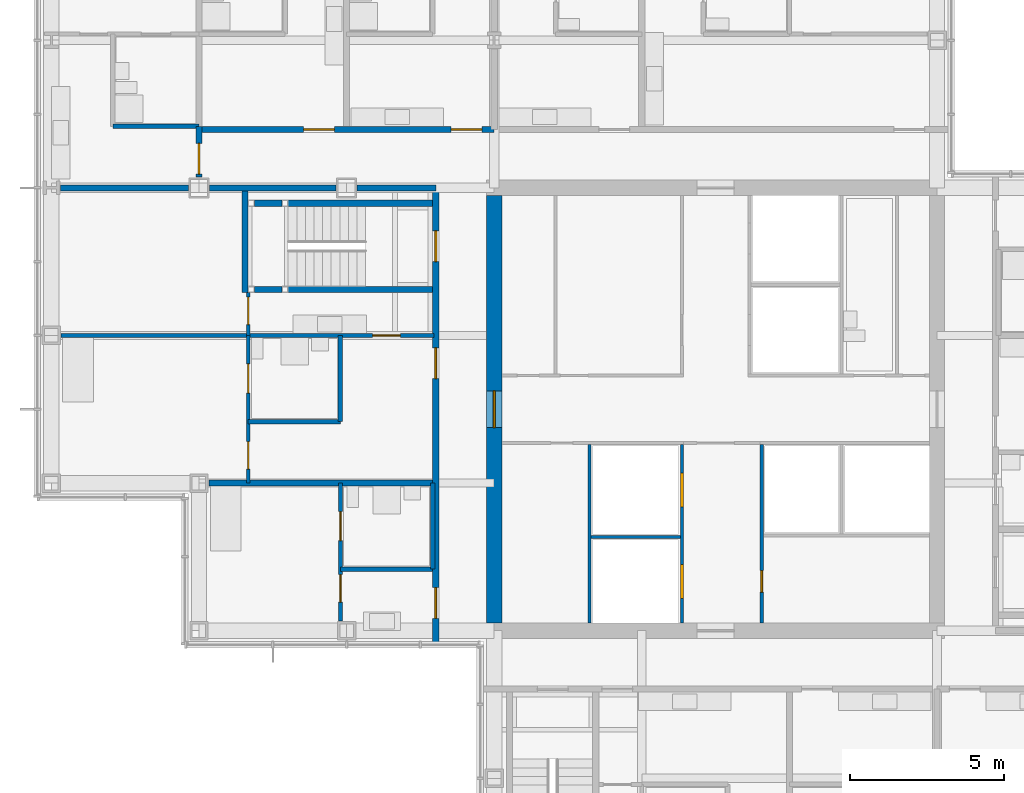
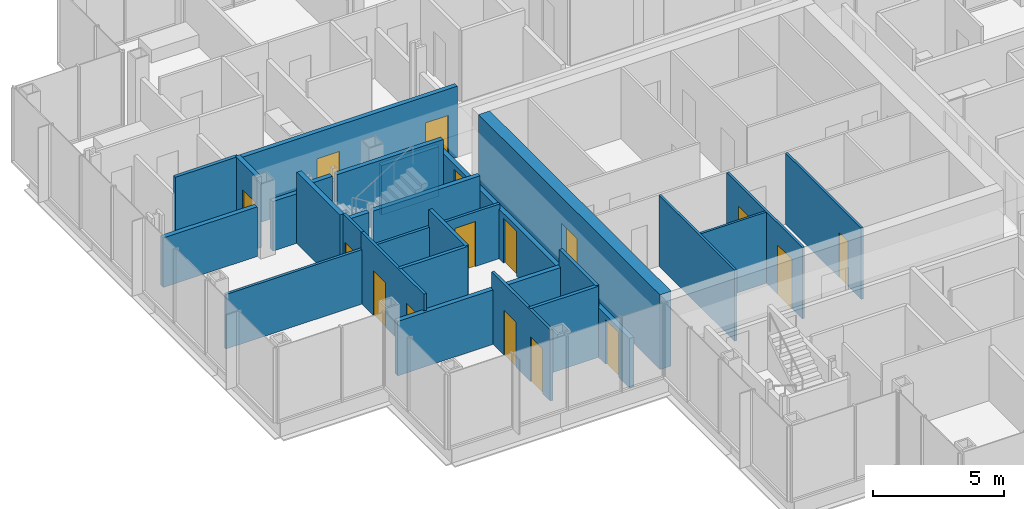
# One storey, part 14 of 20: 27 walls, 16 doors, 16 openings.
"""IFC4 building model written with IfcOpenShell, lengths in metres."""

from ifc_helpers import new_model, si_unit, direction, frame, frame_2d, origin, place, context, subcontext, project, spatial, rectangle, extrude, material, layer, layer_set, type_object, element, fill, save


model = new_model("IFC4")

# Units and contexts
model_context = context("Model", 3, precision=1e-05, world=origin(), true_north=direction((0.0, 1.0)))
body_context = subcontext(model_context, "Body", "Model", "MODEL_VIEW")
ifc_project = project(units=[si_unit("LENGTHUNIT", "METRE"), si_unit("AREAUNIT", "SQUARE_METRE"), si_unit("VOLUMEUNIT", "CUBIC_METRE"), si_unit("PLANEANGLEUNIT", "RADIAN"), si_unit("MASSUNIT", "GRAM", prefix="KILO")], contexts=[model_context])

# Site, building, storey
site_placement = place(None, origin())
site = spatial("IfcSite", under=ifc_project, at=site_placement, CompositionType="ELEMENT")
building_placement = place(site_placement, origin())
building = spatial("IfcBuilding", under=site, at=building_placement, Name="Kvirike Care Tower", CompositionType="ELEMENT")
storey_placement = place(building_placement, frame((0.0, 0.0, 112.0)))
storey = spatial("IfcBuildingStorey", under=building, at=storey_placement, Name="L30", CompositionType="ELEMENT", Elevation=112.0)

# Walls
ifc_material_1 = material(Name="Moisture-resistant board partition", Category="gypsum")
ifc_layer_1 = layer(ifc_material_1, 0.14990234375)
ifc_layer_set_1 = layer_set([ifc_layer_1], Name="BATHROOM WALL 150")
wall_type_1 = type_object("IfcWallType", Name="BATHROOM WALL 150", PredefinedType="PARTITIONING", material=ifc_layer_set_1)
wall_1_placement = place(storey_placement, frame((6.39990234375, 35.60009765625, 0.0), z_axis=(0.0, 0.0, 1.0), x_axis=(1.0, 0.0, 0.0)))
element("IfcWall", 1, at=wall_1_placement, inside=storey, type_object=wall_type_1, Name="Bathroom Wall 150 L30", PredefinedType="PARTITIONING", context=body_context, shape_type="SweptSolid", body=[
    extrude(rectangle(XDim=3.0, YDim=0.14990234375, at=frame_2d((1.5, 0.0))), origin(), (0.0, 0.0, 1.0), 3.330078125),
])
wall_2_placement = place(storey_placement, frame((9.39990234375, 38.39990234375, 0.0), z_axis=(0.0, 0.0, 1.0), x_axis=(0.0, -1.0, 0.0)))
element("IfcWall", 2, at=wall_2_placement, inside=storey, type_object=wall_type_1, Name="Bathroom Wall 150 L30", PredefinedType="PARTITIONING", context=body_context, shape_type="SweptSolid", body=[
    extrude(rectangle(XDim=2.7998046875, YDim=0.14990234375, at=frame_2d((1.39990234375, 0.0))), origin(), (0.0, 0.0, 1.0), 3.330078125),
])
wall_3_placement = place(storey_placement, frame((9.39990234375, 30.800048828125, 0.0), z_axis=(0.0, 0.0, 1.0), x_axis=(1.0, 0.0, 0.0)))
element("IfcWall", 3, at=wall_3_placement, inside=storey, type_object=wall_type_1, Name="Bathroom Wall 150 L30", PredefinedType="PARTITIONING", context=body_context, shape_type="SweptSolid", body=[
    extrude(rectangle(XDim=3.0, YDim=0.14990234375, at=frame_2d((1.5, 0.0))), origin(), (0.0, 0.0, 1.0), 3.330078125),
])
for number, where, z_axis, x_axis, name in (
    (4, (12.39990234375, 33.60009765625, 0.0), (0.0, 0.0, 1.0), (0.0, -1.0, 0.0), "Bathroom Wall 150 L30"),
    (5, (4.800048828125, 45.199951171875, 0.0), (0.0, 0.0, 1.0), (-1.0, 0.0, 0.0), "Bathroom Wall 150 L30"),
):
    element("IfcWall", number, at=place(storey_placement, frame(where, z_axis=z_axis, x_axis=x_axis)), inside=storey, type_object=wall_type_1, Name=name, PredefinedType="PARTITIONING", context=body_context, shape_type="SweptSolid", body=[
        extrude(rectangle(XDim=2.800048828125, YDim=0.14990234375, at=frame_2d((1.39990234375, 0.0))), origin(), (0.0, 0.0, 1.0), 3.330078125),
    ])

# Wall, opening, door
ifc_material_2 = material(Name="Concrete C50/60", Category="concrete")
ifc_layer_2 = layer(ifc_material_2, 0.5)
ifc_layer_set_2 = layer_set([ifc_layer_2], Name="CORE WALL 500 C50-60")
wall_type_2 = type_object("IfcWallType", Name="CORE WALL 500 C50-60", PredefinedType="SHEAR", material=ifc_layer_set_2)
wall_4_placement = place(storey_placement, frame((14.39990234375, 42.949951171875, -0.169921875), z_axis=(0.0, 0.0, 1.0), x_axis=(0.0, -1.0, 0.0)))
wall_4 = element("IfcWall", 6, at=wall_4_placement, inside=storey, type_object=wall_type_2, Name="Core wall W L30", PredefinedType="SHEAR", context=body_context, shape_type="SweptSolid", body=[
    extrude(rectangle(XDim=13.89990234375, YDim=0.5, at=frame_2d((6.949951171875, 0.0))), origin(), (0.0, 0.0, 1.0), 3.5),
])
opening_1_placement = place(wall_4_placement, frame((6.35009765625, 0.0, 0.169921875)))
opening_1 = element("IfcOpeningElement", 7, at=opening_1_placement, cuts=wall_4, Name="Opening 30-063", PredefinedType="OPENING", context=body_context, shape_type="SweptSolid", body=[
    extrude(rectangle(XDim=1.199951171875, YDim=2.10009765625, at=frame_2d((0.60009765625, 1.050048828125))), frame((0.0, 0.260498046875, 0.0), z_axis=(0.0, -1.0, 0.0), x_axis=(1.0, 0.0, 0.0)), (0.0, 0.0, 1.0), 0.52099609375),
])
ifc_material_3 = material(Name="Timber door set", Category="wood")
door_type_1 = type_object("IfcDoorType", Name="CORE DOOR 1200", OperationType="SINGLE_SWING_LEFT", PredefinedType="DOOR", material=ifc_material_3)
door_1_placement = place(opening_1_placement, origin())
door_1 = element("IfcDoor", 8, at=door_1_placement, inside=storey, type_object=door_type_1, Name="Core door W L30", OperationType="SINGLE_SWING_LEFT", OverallHeight=2.10009765625, OverallWidth=1.199951171875, PredefinedType="DOOR", context=body_context, shape_type="SweptSolid", body=[
    extrude(rectangle(XDim=1.199951171875, YDim=2.10009765625, at=frame_2d((0.60009765625, 1.050048828125))), frame((0.0, 0.02685546875, 0.0), z_axis=(0.0, -1.0, 0.0), x_axis=(1.0, 0.0, 0.0)), (0.0, 0.0, 1.0), 0.053955078125),
])
fill(opening_1, door_1)

# Wall, openings, doors
ifc_material_4 = material(Name="Plasterboard corridor wall", Category="gypsum")
ifc_layer_3 = layer(ifc_material_4, 0.199951171875)
ifc_layer_set_3 = layer_set([ifc_layer_3], Name="CORRIDOR WALL 200")
wall_type_3 = type_object("IfcWallType", Name="CORRIDOR WALL 200", PredefinedType="PARTITIONING", material=ifc_layer_set_3)
wall_5_placement = place(storey_placement, frame((12.5, 43.199951171875, 0.0), z_axis=(0.0, 0.0, 1.0), x_axis=(0.0, -1.0, 0.0)))
wall_5 = element("IfcWall", 9, at=wall_5_placement, inside=storey, type_object=wall_type_3, Name="Corridor Wall 200 L30", PredefinedType="PARTITIONING", context=body_context, shape_type="SweptSolid", body=[
    extrude(rectangle(XDim=14.83984375, YDim=0.199951171875, at=frame_2d((7.419921875, 0.0))), origin(), (0.0, 0.0, 1.0), 2.320068359375),
])
opening_2_placement = place(wall_5_placement, frame((1.39990234375, 0.0, 0.0)))
opening_2 = element("IfcOpeningElement", 10, at=opening_2_placement, cuts=wall_5, Name="Opening 30-007", PredefinedType="OPENING", context=body_context, shape_type="SweptSolid", body=[
    extrude(rectangle(XDim=1.0, YDim=2.10009765625, at=frame_2d((0.5, 1.050048828125))), frame((0.0, 0.110595703125, 0.0), z_axis=(0.0, -1.0, 0.0), x_axis=(1.0, 0.0, 0.0)), (0.0, 0.0, 1.0), 0.220947265625),
])
opening_3_placement = place(wall_5_placement, frame((5.199951171875, 0.0, 0.0)))
opening_3 = element("IfcOpeningElement", 11, at=opening_3_placement, cuts=wall_5, Name="Opening 30-008", PredefinedType="OPENING", context=body_context, shape_type="SweptSolid", body=[
    extrude(rectangle(XDim=1.0, YDim=2.10009765625, at=frame_2d((0.5, 1.050048828125))), frame((0.0, 0.110595703125, 0.0), z_axis=(0.0, -1.0, 0.0), x_axis=(1.0, 0.0, 0.0)), (0.0, 0.0, 1.0), 0.220947265625),
])
opening_4_placement = place(wall_5_placement, frame((13.0, 0.0, 0.0)))
opening_4 = element("IfcOpeningElement", 12, at=opening_4_placement, cuts=wall_5, Name="Opening 30-009", PredefinedType="OPENING", context=body_context, shape_type="SweptSolid", body=[
    extrude(rectangle(XDim=1.0, YDim=2.10009765625, at=frame_2d((0.5, 1.050048828125))), frame((0.0, 0.110595703125, 0.0), z_axis=(0.0, -1.0, 0.0), x_axis=(1.0, 0.0, 0.0)), (0.0, 0.0, 1.0), 0.220947265625),
])
ifc_material_5 = material(Name="Timber door set", Category="wood")
door_type_2 = type_object("IfcDoorType", Name="FLAT ENTRANCE DOOR 1000", OperationType="SINGLE_SWING_LEFT", PredefinedType="DOOR", material=ifc_material_5)
door_2_placement = place(opening_3_placement, frame((1.0, 0.0, 0.0), z_axis=(0.0, 0.0, 1.0), x_axis=(-1.0, 0.0, 0.0)))
door_2 = element("IfcDoor", 13, at=door_2_placement, inside=storey, type_object=door_type_2, Name="Assisted living suite entrance", OperationType="SINGLE_SWING_LEFT", OverallHeight=2.10009765625, OverallWidth=1.0, PredefinedType="DOOR", context=body_context, shape_type="SweptSolid", body=[
    extrude(rectangle(XDim=1.0, YDim=2.10009765625, at=frame_2d((0.5, 1.050048828125))), frame((0.0, 0.02685546875, 0.0), z_axis=(0.0, -1.0, 0.0), x_axis=(1.0, 0.0, 0.0)), (0.0, 0.0, 1.0), 0.053955078125),
])
fill(opening_3, door_2)
door_3_placement = place(opening_4_placement, frame((1.0, 0.0, 0.0), z_axis=(0.0, 0.0, 1.0), x_axis=(-1.0, 0.0, 0.0)))
door_3 = element("IfcDoor", 14, at=door_3_placement, inside=storey, type_object=door_type_2, Name="Assisted living suite entrance", OperationType="SINGLE_SWING_RIGHT", OverallHeight=2.10009765625, OverallWidth=1.0, PredefinedType="DOOR", context=body_context, shape_type="SweptSolid", body=[
    extrude(rectangle(XDim=1.0, YDim=2.10009765625, at=frame_2d((0.5, 1.050048828125))), frame((0.0, 0.02685546875, 0.0), z_axis=(0.0, -1.0, 0.0), x_axis=(1.0, 0.0, 0.0)), (0.0, 0.0, 1.0), 0.053955078125),
])
fill(opening_4, door_3)
ifc_material_6 = material(Name="Timber door set", Category="wood")
door_type_3 = type_object("IfcDoorType", Name="STAIR DOOR 1000", OperationType="SINGLE_SWING_LEFT", PredefinedType="DOOR", material=ifc_material_6)
door_4_placement = place(opening_2_placement, frame((1.0, 0.0, 0.0), z_axis=(0.0, 0.0, 1.0), x_axis=(-1.0, 0.0, 0.0)))
door_4 = element("IfcDoor", 15, at=door_4_placement, inside=storey, type_object=door_type_3, Name="Stair 1 door", OperationType="SINGLE_SWING_LEFT", OverallHeight=2.10009765625, OverallWidth=1.0, PredefinedType="DOOR", context=body_context, shape_type="SweptSolid", body=[
    extrude(rectangle(XDim=1.0, YDim=2.10009765625, at=frame_2d((0.5, 1.050048828125))), frame((0.0, 0.031982421875, 0.0), z_axis=(0.0, -1.0, 0.0), x_axis=(1.0, 0.0, 0.0)), (0.0, 0.0, 1.0), 0.06396484375),
])
fill(opening_2, door_4)

wall_6_placement = place(storey_placement, frame((14.39990234375, 45.10009765625, 0.0), z_axis=(0.0, 0.0, 1.0), x_axis=(-1.0, 0.0, 0.0)))
wall_6 = element("IfcWall", 16, at=wall_6_placement, inside=storey, type_object=wall_type_3, Name="Corridor Wall 200 L30", PredefinedType="PARTITIONING", context=body_context, shape_type="SweptSolid", body=[
    extrude(rectangle(XDim=9.599853515625, YDim=0.199951171875, at=frame_2d((4.7998046875, 0.0))), origin(), (0.0, 0.0, 1.0), 3.330078125),
])
opening_5_placement = place(wall_6_placement, frame((0.39990234375, 0.0, 0.0)))
opening_5 = element("IfcOpeningElement", 17, at=opening_5_placement, cuts=wall_6, Name="Opening 30-016", PredefinedType="OPENING", context=body_context, shape_type="SweptSolid", body=[
    extrude(rectangle(XDim=1.0, YDim=2.10009765625, at=frame_2d((0.5, 1.050048828125))), frame((0.0, 0.110595703125, 0.0), z_axis=(0.0, -1.0, 0.0), x_axis=(1.0, 0.0, 0.0)), (0.0, 0.0, 1.0), 0.220947265625),
])
opening_6_placement = place(wall_6_placement, frame((5.199951171875, 0.0, 0.0)))
opening_6 = element("IfcOpeningElement", 18, at=opening_6_placement, cuts=wall_6, Name="Opening 30-017", PredefinedType="OPENING", context=body_context, shape_type="SweptSolid", body=[
    extrude(rectangle(XDim=1.0, YDim=2.10009765625, at=frame_2d((0.5, 1.050048828125))), frame((0.0, 0.110595703125, 0.0), z_axis=(0.0, -1.0, 0.0), x_axis=(1.0, 0.0, 0.0)), (0.0, 0.0, 1.0), 0.220947265625),
])
door_5_placement = place(opening_5_placement, frame((1.0, 0.0, 0.0), z_axis=(0.0, 0.0, 1.0), x_axis=(-1.0, 0.0, 0.0)))
door_5 = element("IfcDoor", 19, at=door_5_placement, inside=storey, type_object=door_type_2, Name="Assisted living suite entrance", OperationType="SINGLE_SWING_LEFT", OverallHeight=2.10009765625, OverallWidth=1.0, PredefinedType="DOOR", context=body_context, shape_type="SweptSolid", body=[
    extrude(rectangle(XDim=1.0, YDim=2.10009765625, at=frame_2d((0.5, 1.050048828125))), frame((0.0, 0.02685546875, 0.0), z_axis=(0.0, -1.0, 0.0), x_axis=(1.0, 0.0, 0.0)), (0.0, 0.0, 1.0), 0.053955078125),
])
fill(opening_5, door_5)
door_6_placement = place(opening_6_placement, frame((1.0, 0.0, 0.0), z_axis=(0.0, 0.0, 1.0), x_axis=(-1.0, 0.0, 0.0)))
door_6 = element("IfcDoor", 20, at=door_6_placement, inside=storey, type_object=door_type_2, Name="Assisted living suite entrance", OperationType="SINGLE_SWING_LEFT", OverallHeight=2.10009765625, OverallWidth=1.0, PredefinedType="DOOR", context=body_context, shape_type="SweptSolid", body=[
    extrude(rectangle(XDim=1.0, YDim=2.10009765625, at=frame_2d((0.5, 1.050048828125))), frame((0.0, 0.02685546875, 0.0), z_axis=(0.0, -1.0, 0.0), x_axis=(1.0, 0.0, 0.0)), (0.0, 0.0, 1.0), 0.053955078125),
])
fill(opening_6, door_6)

# Wall, opening, door
wall_7_placement = place(storey_placement, frame((4.800048828125, 45.199951171875, 0.0), z_axis=(0.0, 0.0, 1.0), x_axis=(0.0, -1.0, 0.0)))
wall_7 = element("IfcWall", 21, at=wall_7_placement, inside=storey, type_object=wall_type_3, Name="Corridor Wall 200 L30", PredefinedType="PARTITIONING", context=body_context, shape_type="SweptSolid", body=[
    extrude(rectangle(XDim=1.655029296875, YDim=0.199951171875, at=frame_2d((0.82763671875, 0.0))), origin(), (0.0, 0.0, 1.0), 3.330078125),
])
opening_7_placement = place(wall_7_placement, frame((0.550048828125, 0.0, 0.0)))
opening_7 = element("IfcOpeningElement", 22, at=opening_7_placement, cuts=wall_7, Name="Opening 30-018", PredefinedType="OPENING", context=body_context, shape_type="SweptSolid", body=[
    extrude(rectangle(XDim=1.0, YDim=2.10009765625, at=frame_2d((0.5, 1.050048828125))), frame((0.0, 0.110595703125, 0.0), z_axis=(0.0, -1.0, 0.0), x_axis=(1.0, 0.0, 0.0)), (0.0, 0.0, 1.0), 0.220947265625),
])
door_7_placement = place(opening_7_placement, frame((1.0, 0.0, 0.0), z_axis=(0.0, 0.0, 1.0), x_axis=(-1.0, 0.0, 0.0)))
door_7 = element("IfcDoor", 23, at=door_7_placement, inside=storey, type_object=door_type_2, Name="Assisted living suite entrance", OperationType="SINGLE_SWING_RIGHT", OverallHeight=2.10009765625, OverallWidth=1.0, PredefinedType="DOOR", context=body_context, shape_type="SweptSolid", body=[
    extrude(rectangle(XDim=1.0, YDim=2.10009765625, at=frame_2d((0.5, 1.050048828125))), frame((0.0, 0.02685546875, 0.0), z_axis=(0.0, -1.0, 0.0), x_axis=(1.0, 0.0, 0.0)), (0.0, 0.0, 1.0), 0.053955078125),
])
fill(opening_7, door_7)

ifc_material_7 = material(Name="Plasterboard partition", Category="gypsum")
ifc_layer_4 = layer(ifc_material_7, 0.1201171875)
ifc_layer_set_4 = layer_set([ifc_layer_4], Name="PARTITION 120")
wall_type_4 = type_object("IfcWallType", Name="PARTITION 120", PredefinedType="PARTITIONING", material=ifc_layer_set_4)
wall_8_placement = place(storey_placement, frame((6.39990234375, 38.39990234375, 0.0), z_axis=(0.0, 0.0, 1.0), x_axis=(1.0, 0.0, 0.0)))
wall_8 = element("IfcWall", 24, at=wall_8_placement, inside=storey, type_object=wall_type_4, Name="Partition 120 L30", PredefinedType="PARTITIONING", context=body_context, shape_type="SweptSolid", body=[
    extrude(rectangle(XDim=6.050048828125, YDim=0.1201171875, at=frame_2d((3.02490234375, 0.0))), origin(), (0.0, 0.0, 1.0), 2.550048828125),
])
opening_8_placement = place(wall_8_placement, frame((4.050048828125, 0.0, 0.0)))
opening_8 = element("IfcOpeningElement", 25, at=opening_8_placement, cuts=wall_8, Name="Opening 30-001", PredefinedType="OPENING", context=body_context, shape_type="SweptSolid", body=[
    extrude(rectangle(XDim=0.89990234375, YDim=2.10009765625, at=frame_2d((0.449951171875, 1.050048828125))), frame((0.0, 0.070556640625, 0.0), z_axis=(0.0, -1.0, 0.0), x_axis=(1.0, 0.0, 0.0)), (0.0, 0.0, 1.0), 0.14111328125),
])
ifc_material_8 = material(Name="Timber door set", Category="wood")
door_type_4 = type_object("IfcDoorType", Name="INTERNAL DOOR 900", OperationType="SINGLE_SWING_LEFT", PredefinedType="DOOR", material=ifc_material_8)
door_8_placement = place(opening_8_placement, origin())
door_8 = element("IfcDoor", 26, at=door_8_placement, inside=storey, type_object=door_type_4, Name="Hall door", OperationType="SINGLE_SWING_LEFT", OverallHeight=2.10009765625, OverallWidth=0.89990234375, PredefinedType="DOOR", context=body_context, shape_type="SweptSolid", body=[
    extrude(rectangle(XDim=0.89990234375, YDim=2.10009765625, at=frame_2d((0.449951171875, 1.050048828125))), frame((0.0, 0.02197265625, 0.0), z_axis=(0.0, -1.0, 0.0), x_axis=(1.0, 0.0, 0.0)), (0.0, 0.0, 1.0), 0.0439453125),
])
fill(opening_8, door_8)

wall_9_placement = place(storey_placement, frame((6.39990234375, 39.800048828125, 0.0), z_axis=(0.0, 0.0, 1.0), x_axis=(0.0, -1.0, 0.0)))
wall_9 = element("IfcWall", 27, at=wall_9_placement, inside=storey, type_object=wall_type_4, Name="Partition 120 L30", PredefinedType="PARTITIONING", context=body_context, shape_type="SweptSolid", body=[
    extrude(rectangle(XDim=1.400146484375, YDim=0.1201171875, at=frame_2d((0.7001953125, 0.0))), origin(), (0.0, 0.0, 1.0), 3.330078125),
])
opening_9_placement = place(wall_9_placement, frame((0.14990234375, 0.0, 0.0)))
opening_9 = element("IfcOpeningElement", 28, at=opening_9_placement, cuts=wall_9, Name="Opening 30-002", PredefinedType="OPENING", context=body_context, shape_type="SweptSolid", body=[
    extrude(rectangle(XDim=0.89990234375, YDim=2.10009765625, at=frame_2d((0.449951171875, 1.050048828125))), frame((0.0, 0.070556640625, 0.0), z_axis=(0.0, -1.0, 0.0), x_axis=(1.0, 0.0, 0.0)), (0.0, 0.0, 1.0), 0.14111328125),
])
door_9_placement = place(opening_9_placement, origin())
door_9 = element("IfcDoor", 29, at=door_9_placement, inside=storey, type_object=door_type_4, Name="Suite sitting room door", OperationType="SINGLE_SWING_RIGHT", OverallHeight=2.10009765625, OverallWidth=0.89990234375, PredefinedType="DOOR", context=body_context, shape_type="SweptSolid", body=[
    extrude(rectangle(XDim=0.89990234375, YDim=2.10009765625, at=frame_2d((0.449951171875, 1.050048828125))), frame((0.0, 0.02197265625, 0.0), z_axis=(0.0, -1.0, 0.0), x_axis=(1.0, 0.0, 0.0)), (0.0, 0.0, 1.0), 0.0439453125),
])
fill(opening_9, door_9)

# Wall, openings, doors
wall_10_placement = place(storey_placement, frame((6.39990234375, 38.39990234375, 0.0), z_axis=(0.0, 0.0, 1.0), x_axis=(0.0, -1.0, 0.0)))
wall_10 = element("IfcWall", 30, at=wall_10_placement, inside=storey, type_object=wall_type_4, Name="Partition 120 L30", PredefinedType="PARTITIONING", context=body_context, shape_type="SweptSolid", body=[
    extrude(rectangle(XDim=4.7998046875, YDim=0.1201171875, at=frame_2d((2.39990234375, 0.0))), origin(), (0.0, 0.0, 1.0), 3.330078125),
])
opening_10_placement = place(wall_10_placement, frame((3.449951171875, 0.0, 0.0)))
opening_10 = element("IfcOpeningElement", 31, at=opening_10_placement, cuts=wall_10, Name="Opening 30-003", PredefinedType="OPENING", context=body_context, shape_type="SweptSolid", body=[
    extrude(rectangle(XDim=0.89990234375, YDim=2.10009765625, at=frame_2d((0.449951171875, 1.050048828125))), frame((0.0, 0.070556640625, 0.0), z_axis=(0.0, -1.0, 0.0), x_axis=(1.0, 0.0, 0.0)), (0.0, 0.0, 1.0), 0.14111328125),
])
opening_11_placement = place(wall_10_placement, frame((0.925048828125, 0.0, 0.0)))
opening_11 = element("IfcOpeningElement", 32, at=opening_11_placement, cuts=wall_10, Name="Opening 30-004", PredefinedType="OPENING", context=body_context, shape_type="SweptSolid", body=[
    extrude(rectangle(XDim=0.949951171875, YDim=2.10009765625, at=frame_2d((0.47509765625, 1.050048828125))), frame((0.0, 0.070556640625, 0.0), z_axis=(0.0, -1.0, 0.0), x_axis=(1.0, 0.0, 0.0)), (0.0, 0.0, 1.0), 0.14111328125),
])
ifc_material_9 = material(Name="Timber door set", Category="wood")
door_type_5 = type_object("IfcDoorType", Name="EN-SUITE SLIDING DOOR 950", OperationType="SLIDING_TO_LEFT", PredefinedType="DOOR", material=ifc_material_9)
door_10_placement = place(opening_11_placement, origin())
door_10 = element("IfcDoor", 33, at=door_10_placement, inside=storey, type_object=door_type_5, Name="En-suite door", OperationType="SLIDING_TO_RIGHT", OverallHeight=2.10009765625, OverallWidth=0.949951171875, PredefinedType="DOOR", context=body_context, shape_type="SweptSolid", body=[
    extrude(rectangle(XDim=0.949951171875, YDim=2.10009765625, at=frame_2d((0.47509765625, 1.050048828125))), frame((0.0, 0.02197265625, 0.0), z_axis=(0.0, -1.0, 0.0), x_axis=(1.0, 0.0, 0.0)), (0.0, 0.0, 1.0), 0.0439453125),
])
fill(opening_11, door_10)
door_11_placement = place(opening_10_placement, origin())
door_11 = element("IfcDoor", 34, at=door_11_placement, inside=storey, type_object=door_type_4, Name="Assisted living suite door", OperationType="SINGLE_SWING_LEFT", OverallHeight=2.10009765625, OverallWidth=0.89990234375, PredefinedType="DOOR", context=body_context, shape_type="SweptSolid", body=[
    extrude(rectangle(XDim=0.89990234375, YDim=2.10009765625, at=frame_2d((0.449951171875, 1.050048828125))), frame((0.0, 0.02197265625, 0.0), z_axis=(0.0, -1.0, 0.0), x_axis=(1.0, 0.0, 0.0)), (0.0, 0.0, 1.0), 0.0439453125),
])
fill(opening_10, door_11)

# Wall
wall_11_placement = place(storey_placement, frame((0.320068359375, 38.39990234375, 0.0), z_axis=(0.0, 0.0, 1.0), x_axis=(1.0, 0.0, 0.0)))
element("IfcWall", 35, at=wall_11_placement, inside=storey, type_object=wall_type_4, Name="Partition 120 L30", PredefinedType="PARTITIONING", context=body_context, shape_type="SweptSolid", body=[
    extrude(rectangle(XDim=6.079833984375, YDim=0.1201171875, at=frame_2d((3.0400390625, 0.0))), origin(), (0.0, 0.0, 1.0), 2.550048828125),
])

# Wall, openings, doors
wall_12_placement = place(storey_placement, frame((9.39990234375, 33.60009765625, 0.0), z_axis=(0.0, 0.0, 1.0), x_axis=(0.0, -1.0, 0.0)))
wall_12 = element("IfcWall", 36, at=wall_12_placement, inside=storey, type_object=wall_type_4, Name="Partition 120 L30", PredefinedType="PARTITIONING", context=body_context, shape_type="SweptSolid", body=[
    extrude(rectangle(XDim=4.47998046875, YDim=0.1201171875, at=frame_2d((2.239990234375, 0.0))), origin(), (0.0, 0.0, 1.0), 3.330078125),
])
opening_12_placement = place(wall_12_placement, frame((2.97509765625, 0.0, 0.0)))
opening_12 = element("IfcOpeningElement", 37, at=opening_12_placement, cuts=wall_12, Name="Opening 30-005", PredefinedType="OPENING", context=body_context, shape_type="SweptSolid", body=[
    extrude(rectangle(XDim=0.89990234375, YDim=2.10009765625, at=frame_2d((0.449951171875, 1.050048828125))), frame((0.0, 0.070556640625, 0.0), z_axis=(0.0, -1.0, 0.0), x_axis=(1.0, 0.0, 0.0)), (0.0, 0.0, 1.0), 0.14111328125),
])
opening_13_placement = place(wall_12_placement, frame((0.925048828125, 0.0, 0.0)))
opening_13 = element("IfcOpeningElement", 38, at=opening_13_placement, cuts=wall_12, Name="Opening 30-006", PredefinedType="OPENING", context=body_context, shape_type="SweptSolid", body=[
    extrude(rectangle(XDim=0.949951171875, YDim=2.10009765625, at=frame_2d((0.47509765625, 1.050048828125))), frame((0.0, 0.070556640625, 0.0), z_axis=(0.0, -1.0, 0.0), x_axis=(1.0, 0.0, 0.0)), (0.0, 0.0, 1.0), 0.14111328125),
])
door_12_placement = place(opening_13_placement, origin())
door_12 = element("IfcDoor", 39, at=door_12_placement, inside=storey, type_object=door_type_5, Name="En-suite door", OperationType="SLIDING_TO_RIGHT", OverallHeight=2.10009765625, OverallWidth=0.949951171875, PredefinedType="DOOR", context=body_context, shape_type="SweptSolid", body=[
    extrude(rectangle(XDim=0.949951171875, YDim=2.10009765625, at=frame_2d((0.47509765625, 1.050048828125))), frame((0.0, 0.02197265625, 0.0), z_axis=(0.0, -1.0, 0.0), x_axis=(1.0, 0.0, 0.0)), (0.0, 0.0, 1.0), 0.0439453125),
])
fill(opening_13, door_12)
door_13_placement = place(opening_12_placement, origin())
door_13 = element("IfcDoor", 40, at=door_13_placement, inside=storey, type_object=door_type_4, Name="Assisted living suite door", OperationType="SINGLE_SWING_RIGHT", OverallHeight=2.10009765625, OverallWidth=0.89990234375, PredefinedType="DOOR", context=body_context, shape_type="SweptSolid", body=[
    extrude(rectangle(XDim=0.89990234375, YDim=2.10009765625, at=frame_2d((0.449951171875, 1.050048828125))), frame((0.0, 0.02197265625, 0.0), z_axis=(0.0, -1.0, 0.0), x_axis=(1.0, 0.0, 0.0)), (0.0, 0.0, 1.0), 0.0439453125),
])
fill(opening_12, door_13)

# Walls
ifc_material_10 = material(Name="Plasterboard party wall", Category="gypsum")
ifc_layer_5 = layer(ifc_material_10, 0.199951171875)
ifc_layer_set_5 = layer_set([ifc_layer_5], Name="PARTY WALL 200")
wall_type_5 = type_object("IfcWallType", Name="PARTY WALL 200", PredefinedType="PARTITIONING", material=ifc_layer_set_5)
wall_13_placement = place(storey_placement, frame((5.1201171875, 33.60009765625, 0.0), z_axis=(0.0, 0.0, 1.0), x_axis=(1.0, 0.0, 0.0)))
element("IfcWall", 41, at=wall_13_placement, inside=storey, type_object=wall_type_5, Name="Party Wall 200 L30", PredefinedType="PARTITIONING", context=body_context, shape_type="SweptSolid", body=[
    extrude(rectangle(XDim=7.27978515625, YDim=0.199951171875, at=frame_2d((3.639892578125, 0.0))), origin(), (0.0, 0.0, 1.0), 2.550048828125),
])
wall_14_placement = place(storey_placement, frame((12.5, 43.199951171875, 0.0), z_axis=(0.0, 0.0, 1.0), x_axis=(-1.0, 0.0, 0.0)))
element("IfcWall", 42, at=wall_14_placement, inside=storey, type_object=wall_type_5, Name="Party Wall 200 L30", PredefinedType="PARTITIONING", context=body_context, shape_type="SweptSolid", body=[
    extrude(rectangle(XDim=2.554931640625, YDim=0.199951171875, at=frame_2d((1.27734375, 0.0))), origin(), (0.0, 0.0, 1.0), 2.320068359375),
])
wall_15_placement = place(storey_placement, frame((9.2548828125, 43.199951171875, 0.0), z_axis=(0.0, 0.0, 1.0), x_axis=(-1.0, 0.0, 0.0)))
element("IfcWall", 43, at=wall_15_placement, inside=storey, type_object=wall_type_5, Name="Party Wall 200 L30", PredefinedType="PARTITIONING", context=body_context, shape_type="SweptSolid", body=[
    extrude(rectangle(XDim=4.10986328125, YDim=0.199951171875, at=frame_2d((2.054931640625, 0.0))), origin(), (0.0, 0.0, 1.0), 2.320068359375),
])
wall_16_placement = place(storey_placement, frame((4.455078125, 43.199951171875, 0.0), z_axis=(0.0, 0.0, 1.0), x_axis=(-1.0, 0.0, 0.0)))
element("IfcWall", 44, at=wall_16_placement, inside=storey, type_object=wall_type_5, Name="Party Wall 200 L30", PredefinedType="PARTITIONING", context=body_context, shape_type="SweptSolid", body=[
    extrude(rectangle(XDim=4.16015625, YDim=0.199951171875, at=frame_2d((2.080078125, 0.0))), origin(), (0.0, 0.0, 1.0), 2.320068359375),
])

# Wall, openings, doors
ifc_material_11 = material(Name="Gypsum shaft wall system", Category="gypsum")
ifc_layer_6 = layer(ifc_material_11, 0.10009765625)
ifc_layer_set_6 = layer_set([ifc_layer_6], Name="SHAFT WALL 100")
wall_type_6 = type_object("IfcWallType", Name="SHAFT WALL 100", PredefinedType="SOLIDWALL", material=ifc_layer_set_6)
wall_17_placement = place(storey_placement, frame((20.5, 29.050048828125, 0.0), z_axis=(0.0, 0.0, 1.0), x_axis=(0.0, 1.0, 0.0)))
wall_17 = element("IfcWall", 45, at=wall_17_placement, inside=storey, type_object=wall_type_6, Name="Shaft Wall 100 L30", PredefinedType="SOLIDWALL", context=body_context, shape_type="SweptSolid", body=[
    extrude(rectangle(XDim=5.800048828125, YDim=0.10009765625, at=frame_2d((2.89990234375, 0.0))), origin(), (0.0, 0.0, 1.0), 3.330078125),
])
opening_14_placement = place(wall_17_placement, frame((0.800048828125, 0.0, 0.0)))
opening_14 = element("IfcOpeningElement", 46, at=opening_14_placement, cuts=wall_17, Name="Opening 30-050", PredefinedType="OPENING", context=body_context, shape_type="SweptSolid", body=[
    extrude(rectangle(XDim=1.10009765625, YDim=2.300048828125, at=frame_2d((0.550048828125, 1.14990234375))), frame((0.0, 0.060546875, 0.0), z_axis=(0.0, -1.0, 0.0), x_axis=(1.0, 0.0, 0.0)), (0.0, 0.0, 1.0), 0.12109375),
])
opening_15_placement = place(wall_17_placement, frame((3.77490234375, 0.0, 0.0)))
opening_15 = element("IfcOpeningElement", 47, at=opening_15_placement, cuts=wall_17, Name="Opening 30-051", PredefinedType="OPENING", context=body_context, shape_type="SweptSolid", body=[
    extrude(rectangle(XDim=1.10009765625, YDim=2.300048828125, at=frame_2d((0.550048828125, 1.14990234375))), frame((0.0, 0.060546875, 0.0), z_axis=(0.0, -1.0, 0.0), x_axis=(1.0, 0.0, 0.0)), (0.0, 0.0, 1.0), 0.12109375),
])
ifc_material_12 = material(Name="Aluminium door frame", Category="aluminium")
door_type_6 = type_object("IfcDoorType", Name="FIRE-FIGHTING LIFT LANDING DOOR 1100", OperationType="SLIDING_TO_LEFT", PredefinedType="DOOR", material=ifc_material_12)
door_14_placement = place(opening_14_placement, origin())
door_14 = element("IfcDoor", 48, at=door_14_placement, inside=storey, type_object=door_type_6, Name="Lift FF1 landing door", OperationType="SLIDING_TO_LEFT", OverallHeight=2.300048828125, OverallWidth=1.10009765625, PredefinedType="DOOR", context=body_context, shape_type="SweptSolid", body=[
    extrude(rectangle(XDim=1.10009765625, YDim=2.300048828125, at=frame_2d((0.550048828125, 1.14990234375))), frame((0.0, 0.0498046875, 0.0), z_axis=(0.0, -1.0, 0.0), x_axis=(1.0, 0.0, 0.0)), (0.0, 0.0, 1.0), 0.099609375),
])
fill(opening_14, door_14)
door_15_placement = place(opening_15_placement, origin())
door_15 = element("IfcDoor", 49, at=door_15_placement, inside=storey, type_object=door_type_6, Name="Lift FF2 landing door", OperationType="SLIDING_TO_LEFT", OverallHeight=2.300048828125, OverallWidth=1.10009765625, PredefinedType="DOOR", context=body_context, shape_type="SweptSolid", body=[
    extrude(rectangle(XDim=1.10009765625, YDim=2.300048828125, at=frame_2d((0.550048828125, 1.14990234375))), frame((0.0, 0.0498046875, 0.0), z_axis=(0.0, -1.0, 0.0), x_axis=(1.0, 0.0, 0.0)), (0.0, 0.0, 1.0), 0.099609375),
])
fill(opening_15, door_15)

# Wall, opening, door
wall_18_placement = place(storey_placement, frame((23.10009765625, 29.050048828125, 0.0), z_axis=(0.0, 0.0, 1.0), x_axis=(0.0, 1.0, 0.0)))
wall_18 = element("IfcWall", 50, at=wall_18_placement, inside=storey, type_object=wall_type_6, Name="Shaft Wall 100 L30", PredefinedType="SOLIDWALL", context=body_context, shape_type="SweptSolid", body=[
    extrude(rectangle(XDim=5.800048828125, YDim=0.10009765625, at=frame_2d((2.89990234375, 0.0))), origin(), (0.0, 0.0, 1.0), 3.330078125),
])
opening_16_placement = place(wall_18_placement, frame((1.0, 0.0, 0.0)))
opening_16 = element("IfcOpeningElement", 51, at=opening_16_placement, cuts=wall_18, Name="Opening 30-055", PredefinedType="OPENING", context=body_context, shape_type="SweptSolid", body=[
    extrude(rectangle(XDim=0.699951171875, YDim=2.10009765625, at=frame_2d((0.35009765625, 1.050048828125))), frame((0.0, 0.060546875, 0.0), z_axis=(0.0, -1.0, 0.0), x_axis=(1.0, 0.0, 0.0)), (0.0, 0.0, 1.0), 0.12109375),
])
ifc_material_13 = material(Name="Timber door set", Category="wood")
door_type_7 = type_object("IfcDoorType", Name="RISER DOOR 700", OperationType="SINGLE_SWING_LEFT", PredefinedType="DOOR", material=ifc_material_13)
door_16_placement = place(opening_16_placement, origin())
door_16 = element("IfcDoor", 52, at=door_16_placement, inside=storey, type_object=door_type_7, Name="Riser door", OperationType="SINGLE_SWING_RIGHT", OverallHeight=2.10009765625, OverallWidth=0.699951171875, PredefinedType="DOOR", context=body_context, shape_type="SweptSolid", body=[
    extrude(rectangle(XDim=0.699951171875, YDim=2.10009765625, at=frame_2d((0.35009765625, 1.050048828125))), frame((0.0, 0.02685546875, 0.0), z_axis=(0.0, -1.0, 0.0), x_axis=(1.0, 0.0, 0.0)), (0.0, 0.0, 1.0), 0.053955078125),
])
fill(opening_16, door_16)

# Walls
wall_19_placement = place(storey_placement, frame((17.5, 29.050048828125, 0.0), z_axis=(0.0, 0.0, 1.0), x_axis=(0.0, 1.0, 0.0)))
element("IfcWall", 53, at=wall_19_placement, inside=storey, type_object=wall_type_6, Name="Shaft Wall 100 L30", PredefinedType="SOLIDWALL", context=body_context, shape_type="SweptSolid", body=[
    extrude(rectangle(XDim=5.800048828125, YDim=0.10009765625, at=frame_2d((2.89990234375, 0.0))), origin(), (0.0, 0.0, 1.0), 3.330078125),
])
wall_20_placement = place(storey_placement, frame((17.550048828125, 31.85009765625, 0.0), z_axis=(0.0, 0.0, 1.0), x_axis=(1.0, 0.0, 0.0)))
element("IfcWall", 54, at=wall_20_placement, inside=storey, type_object=wall_type_6, Name="Shaft Wall 100 L30", PredefinedType="SOLIDWALL", context=body_context, shape_type="SweptSolid", body=[
    extrude(rectangle(XDim=2.89990234375, YDim=0.10009765625, at=frame_2d((1.449951171875, 0.0))), origin(), (0.0, 0.0, 1.0), 3.330078125),
])
ifc_material_14 = material(Name="Concrete C40/50", Category="concrete")
ifc_layer_7 = layer(ifc_material_14, 0.199951171875)
ifc_layer_set_7 = layer_set([ifc_layer_7], Name="STAIR WALL 200")
wall_type_7 = type_object("IfcWallType", Name="STAIR WALL 200", PredefinedType="SOLIDWALL", material=ifc_layer_set_7)
wall_21_placement = place(storey_placement, frame((6.60009765625, 42.699951171875, 0.0), z_axis=(0.0, 0.0, 1.0), x_axis=(1.0, 0.0, 0.0)))
element("IfcWall", 55, at=wall_21_placement, inside=storey, type_object=wall_type_7, Name="Stair Wall 200 L30", PredefinedType="SOLIDWALL", context=body_context, shape_type="SweptSolid", body=[
    extrude(rectangle(XDim=0.89990234375, YDim=0.199951171875, at=frame_2d((0.449951171875, 0.0))), origin(), (0.0, 0.0, 1.0), 2.989990234375),
])
wall_22_placement = place(storey_placement, frame((7.699951171875, 42.699951171875, 0.0), z_axis=(0.0, 0.0, 1.0), x_axis=(1.0, 0.0, 0.0)))
element("IfcWall", 56, at=wall_22_placement, inside=storey, type_object=wall_type_7, Name="Stair Wall 200 L30", PredefinedType="SOLIDWALL", context=body_context, shape_type="SweptSolid", body=[
    extrude(rectangle(XDim=4.699951171875, YDim=0.199951171875, at=frame_2d((2.35009765625, 0.0))), origin(), (0.0, 0.0, 1.0), 2.989990234375),
])
wall_23_placement = place(storey_placement, frame((6.60009765625, 39.89990234375, 0.0), z_axis=(0.0, 0.0, 1.0), x_axis=(1.0, 0.0, 0.0)))
element("IfcWall", 57, at=wall_23_placement, inside=storey, type_object=wall_type_7, Name="Stair Wall 200 L30", PredefinedType="SOLIDWALL", context=body_context, shape_type="SweptSolid", body=[
    extrude(rectangle(XDim=0.89990234375, YDim=0.199951171875, at=frame_2d((0.449951171875, 0.0))), origin(), (0.0, 0.0, 1.0), 2.989990234375),
])
wall_24_placement = place(storey_placement, frame((7.699951171875, 39.89990234375, 0.0), z_axis=(0.0, 0.0, 1.0), x_axis=(1.0, 0.0, 0.0)))
element("IfcWall", 58, at=wall_24_placement, inside=storey, type_object=wall_type_7, Name="Stair Wall 200 L30", PredefinedType="SOLIDWALL", context=body_context, shape_type="SweptSolid", body=[
    extrude(rectangle(XDim=4.699951171875, YDim=0.199951171875, at=frame_2d((2.35009765625, 0.0))), origin(), (0.0, 0.0, 1.0), 2.989990234375),
])
wall_25_placement = place(storey_placement, frame((6.300048828125, 43.10009765625, 0.0), z_axis=(0.0, 0.0, 1.0), x_axis=(0.0, -1.0, 0.0)))
element("IfcWall", 59, at=wall_25_placement, inside=storey, type_object=wall_type_7, Name="Stair Wall 200 L30", PredefinedType="SOLIDWALL", context=body_context, shape_type="SweptSolid", body=[
    extrude(rectangle(XDim=3.300048828125, YDim=0.199951171875, at=frame_2d((1.64990234375, 0.0))), origin(), (0.0, 0.0, 1.0), 3.330078125),
])

save(model, "model.ifc")
